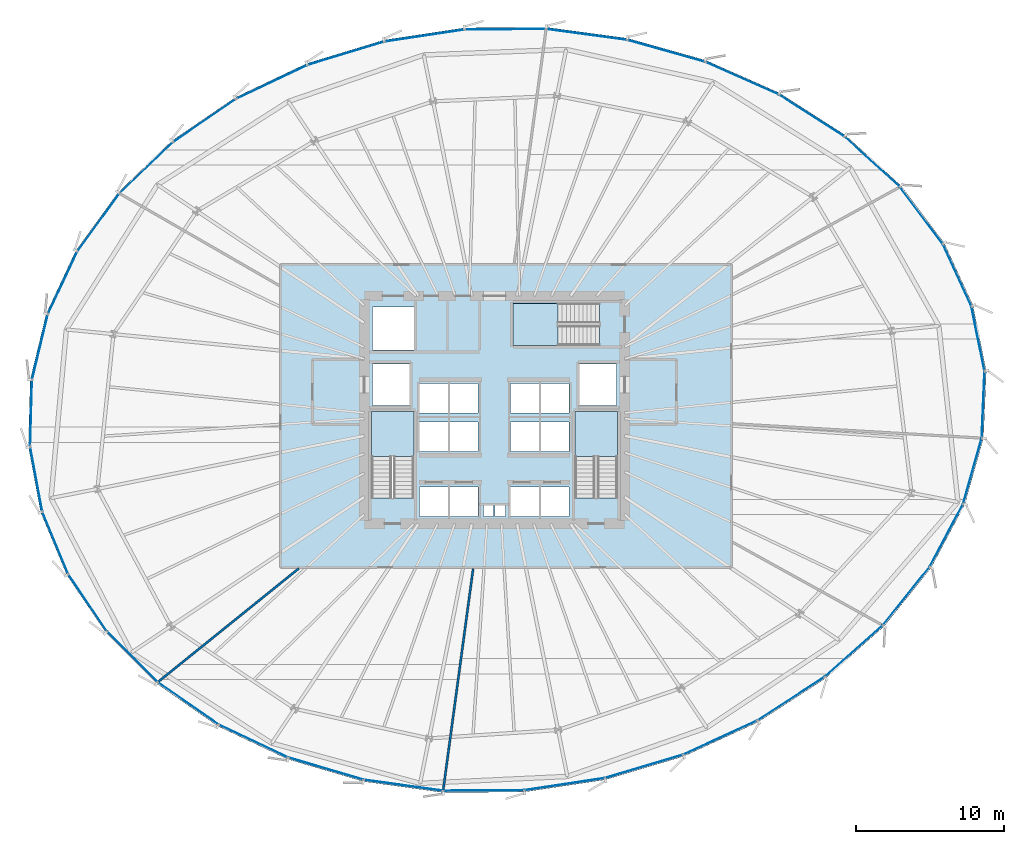
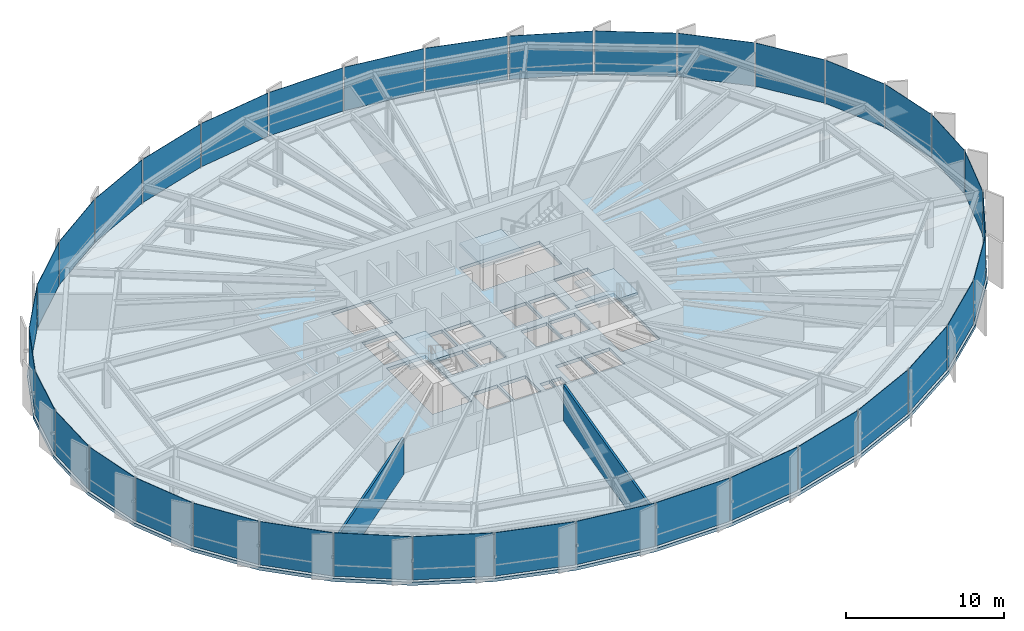
# One storey, part 29 of 37: 36 plates, 4 slabs, 2 walls, 9 elements without a shape of their own.
"""IFC4 building model written with IfcOpenShell, lengths in metres."""

from ifc_helpers import new_model, si_unit, direction, frame, frame_2d, origin, origin_2d, place, context, subcontext, project, spatial, polyline, rectangle, outline, extrude, source, transform, mapped, material, layer, layer_set, type_object, element, aggregate, save


model = new_model("IFC4")

# Units and contexts
model_context = context("Model", 3, precision=1e-05, world=origin(), true_north=direction((0.0, 1.0)))
body_context = subcontext(model_context, "Body", "Model", "MODEL_VIEW")
ifc_project = project(units=[si_unit("LENGTHUNIT", "METRE"), si_unit("AREAUNIT", "SQUARE_METRE"), si_unit("VOLUMEUNIT", "CUBIC_METRE"), si_unit("PLANEANGLEUNIT", "RADIAN"), si_unit("MASSUNIT", "GRAM", prefix="KILO"), si_unit("THERMODYNAMICTEMPERATUREUNIT", "KELVIN")], contexts=[model_context])

# Site, building, storey
site_placement = place(None, origin())
site = spatial("IfcSite", under=ifc_project, at=site_placement, CompositionType="ELEMENT")
building_placement = place(site_placement, origin())
building = spatial("IfcBuilding", under=site, at=building_placement, Name="Kethvar Cultural Tower", CompositionType="ELEMENT")
storey_placement = place(building_placement, frame((0.0, 0.0, 48.60009765625)))
storey = spatial("IfcBuildingStorey", under=building, at=storey_placement, Name="L11", CompositionType="ELEMENT", Elevation=48.60009765625)

# Stair, slab
ifc_material_1 = material(Name="Concrete C40/50", Category="concrete")
stair_type = type_object("IfcStairType", Name="ST-DOGLEG-135", PredefinedType="HALF_TURN_STAIR", material=ifc_material_1)
stair_1_placement = place(storey_placement, origin())
stair_1 = element("IfcStair", 1, at=stair_1_placement, inside=storey, type_object=stair_type, Name="L11 Core Exit Stair 1", PredefinedType="HALF_TURN_STAIR")
ifc_layer_1 = layer(ifc_material_1, 0.199951171875, Name="Concrete C40/50", Category="concrete")
ifc_layer_set_1 = layer_set([ifc_layer_1], Name="Concrete C40/50 (200 mm)")
slab_type_1 = type_object("IfcSlabType", Name="SL-STAIR-LANDING-200", PredefinedType="LANDING", material=ifc_layer_set_1)
slab_1_placement = place(storey_placement, frame((0.0, 0.0, 1.699951171875)))
slab_1 = element("IfcSlab", 2, at=slab_1_placement, type_object=slab_type_1, Name="ST-01 landing 1", PredefinedType="LANDING", context=body_context, shape_type="SweptSolid", body=[
    extrude(outline(polyline([(41.35009765625, 24.64990234375), (41.35009765625, 27.699951171875), (38.489990234375, 27.699951171875), (38.489990234375, 24.64990234375), (41.35009765625, 24.64990234375)])), origin(), (0.0, 0.0, 1.0), 0.199951171875),
])
aggregate(stair_1, [slab_1])

stair_2_placement = place(storey_placement, origin())
stair_2 = element("IfcStair", 3, at=stair_2_placement, inside=storey, type_object=stair_type, Name="L11 Core Exit Stair 2", PredefinedType="HALF_TURN_STAIR")
slab_2_placement = place(storey_placement, frame((0.0, 0.0, 1.699951171875)))
slab_2 = element("IfcSlab", 4, at=slab_2_placement, type_object=slab_type_1, Name="ST-02 landing 1", PredefinedType="LANDING", context=body_context, shape_type="SweptSolid", body=[
    extrude(outline(polyline([(55.110107421875, 24.64990234375), (55.110107421875, 27.699951171875), (52.25, 27.699951171875), (52.25, 24.64990234375), (55.110107421875, 24.64990234375)])), origin(), (0.0, 0.0, 1.0), 0.199951171875),
])
aggregate(stair_2, [slab_2])

stair_3_placement = place(storey_placement, origin())
stair_3 = element("IfcStair", 5, at=stair_3_placement, inside=storey, type_object=stair_type, Name="L11 Core Exit Stair 3", PredefinedType="HALF_TURN_STAIR")
slab_3_placement = place(storey_placement, frame((0.0, 0.0, 1.699951171875)))
slab_3 = element("IfcSlab", 6, at=slab_3_placement, type_object=slab_type_1, Name="ST-03 landing 1", PredefinedType="LANDING", context=body_context, shape_type="SweptSolid", body=[
    extrude(outline(polyline([(51.10009765625, 35.010009765625), (48.050048828125, 35.010009765625), (48.050048828125, 32.14990234375), (51.10009765625, 32.14990234375), (51.10009765625, 35.010009765625)])), origin(), (0.0, 0.0, 1.0), 0.199951171875),
])
aggregate(stair_3, [slab_3])

# Slab
ifc_layer_2 = layer(ifc_material_1, 0.25, Name="Concrete C40/50", Category="concrete")
ifc_layer_set_2 = layer_set([ifc_layer_2], Name="Concrete C40/50 (250 mm)")
slab_type_2 = type_object("IfcSlabType", Name="SL-TOW-250", PredefinedType="FLOOR", material=ifc_layer_set_2)
slab_4_placement = place(storey_placement, frame((0.0, 0.0, -0.25)))
element("IfcSlab", 7, at=slab_4_placement, inside=storey, type_object=slab_type_2, Name="L11 Structural Floor Slab", PredefinedType="FLOOR", context=body_context, shape_type="SweptSolid", body=[
    extrude(outline(polyline([(80.048583984375, 30.416748046875), (79.151611328125, 34.858642578125), (77.202392578125, 39.08056640625), (74.28466796875, 42.956298828125), (70.523193359375, 46.37060546875), (66.0712890625, 49.223388671875), (61.10009765625, 51.43017578125), (55.784423828125, 52.92626953125), (50.291015625, 53.666259765625), (44.767333984375, 53.626220703125), (39.32763671875, 52.803466796875), (34.114990234375, 51.220703125), (29.28759765625, 48.926513671875), (24.992431640625, 45.990234375), (21.35986328125, 42.50146484375), (18.500244140625, 38.56591796875), (16.50048828125, 34.30322265625), (15.42138671875, 29.843017578125), (15.2958984375, 25.320556640625), (16.12744140625, 20.87353515625), (17.89111328125, 16.636962890625), (20.532958984375, 12.739501953125), (23.972900390625, 9.2998046875), (28.106689453125, 6.422119140625), (32.80810546875, 4.194091796875), (37.934814453125, 2.68310546875), (43.3310546875, 1.935546875), (48.83251953125, 1.9736328125), (54.294189453125, 2.79833984375), (59.6044921875, 4.388671875), (64.62060546875, 6.69775390625), (69.185302734375, 9.655029296875), (73.135986328125, 13.169189453125), (76.3173828125, 17.1298828125), (78.5927734375, 21.414306640625), (79.857666015625, 25.88916015625), (80.048583984375, 30.416748046875)]), holes=[polyline([(38.489990234375, 21.85009765625), (38.489990234375, 27.699951171875), (41.35009765625, 27.699951171875), (41.35009765625, 21.85009765625), (38.489990234375, 21.85009765625)]), polyline([(52.25, 21.85009765625), (52.25, 27.699951171875), (55.110107421875, 27.699951171875), (55.110107421875, 21.85009765625), (52.25, 21.85009765625)]), polyline([(53.89990234375, 32.14990234375), (48.050048828125, 32.14990234375), (48.050048828125, 35.010009765625), (53.89990234375, 35.010009765625), (53.89990234375, 32.14990234375)]), polyline([(41.75, 22.60009765625), (43.64990234375, 22.60009765625), (43.64990234375, 20.60009765625), (41.75, 20.60009765625), (41.75, 22.60009765625)]), polyline([(43.800048828125, 22.60009765625), (45.699951171875, 22.60009765625), (45.699951171875, 20.60009765625), (43.800048828125, 20.60009765625), (43.800048828125, 22.60009765625)]), polyline([(47.89990234375, 22.60009765625), (49.800048828125, 22.60009765625), (49.800048828125, 20.60009765625), (47.89990234375, 20.60009765625), (47.89990234375, 22.60009765625)]), polyline([(49.949951171875, 22.60009765625), (51.85009765625, 22.60009765625), (51.85009765625, 20.60009765625), (49.949951171875, 20.60009765625), (49.949951171875, 22.60009765625)]), polyline([(41.75, 27.0), (43.64990234375, 27.0), (43.64990234375, 25.0), (41.75, 25.0), (41.75, 27.0)]), polyline([(43.800048828125, 27.0), (45.699951171875, 27.0), (45.699951171875, 25.0), (43.800048828125, 25.0), (43.800048828125, 27.0)]), polyline([(47.89990234375, 27.0), (49.800048828125, 27.0), (49.800048828125, 25.0), (47.89990234375, 25.0), (47.89990234375, 27.0)]), polyline([(49.949951171875, 27.0), (51.85009765625, 27.0), (51.85009765625, 25.0), (49.949951171875, 25.0), (49.949951171875, 27.0)]), polyline([(41.75, 29.60009765625), (43.64990234375, 29.60009765625), (43.64990234375, 27.60009765625), (41.75, 27.60009765625), (41.75, 29.60009765625)]), polyline([(43.800048828125, 29.60009765625), (45.699951171875, 29.60009765625), (45.699951171875, 27.60009765625), (43.800048828125, 27.60009765625), (43.800048828125, 29.60009765625)]), polyline([(47.89990234375, 29.60009765625), (49.800048828125, 29.60009765625), (49.800048828125, 27.60009765625), (47.89990234375, 27.60009765625), (47.89990234375, 29.60009765625)]), polyline([(49.949951171875, 29.60009765625), (51.85009765625, 29.60009765625), (51.85009765625, 27.60009765625), (49.949951171875, 27.60009765625), (49.949951171875, 29.60009765625)]), polyline([(38.550048828125, 30.89990234375), (41.050048828125, 30.89990234375), (41.050048828125, 28.10009765625), (38.550048828125, 28.10009765625), (38.550048828125, 30.89990234375)]), polyline([(52.550048828125, 30.89990234375), (55.050048828125, 30.89990234375), (55.050048828125, 28.10009765625), (52.550048828125, 28.10009765625), (52.550048828125, 30.89990234375)]), polyline([(38.550048828125, 34.75), (41.35009765625, 34.75), (41.35009765625, 31.85009765625), (38.550048828125, 31.85009765625), (38.550048828125, 34.75)]), polyline([(46.050048828125, 21.35009765625), (46.75, 21.35009765625), (46.75, 20.60009765625), (46.050048828125, 20.60009765625), (46.050048828125, 21.35009765625)]), polyline([(46.85009765625, 21.35009765625), (47.550048828125, 21.35009765625), (47.550048828125, 20.60009765625), (46.85009765625, 20.60009765625), (46.85009765625, 21.35009765625)])]), origin(), (0.0, 0.0, 1.0), 0.25),
])

# Curtain wall, plate
ifc_material_2 = material(Name="Aluminium 6063-T6", Category="aluminium")
ifc_layer_3 = layer(ifc_material_2, 0.179931640625, Name="Aluminium 6063-T6", Category="aluminium")
ifc_layer_set_3 = layer_set([ifc_layer_3], Name="Aluminium 6063-T6 (180 mm)")
curtain_wall_type = type_object("IfcCurtainWallType", Name="CW-SYS-02-Z1", PredefinedType="NOTDEFINED", material=ifc_layer_set_3)
curtain_wall_1_placement = place(storey_placement, origin())
curtain_wall_1 = element("IfcCurtainWall", 8, at=curtain_wall_1_placement, inside=storey, type_object=curtain_wall_type, Name="L11 Curtain Wall Run 01", PredefinedType="NOTDEFINED")
ifc_material_3 = material(Name="Insulated Low-E Solar Glass", Category="glass")
ifc_layer_4 = layer(ifc_material_3, 0.031982421875, Name="Insulated Low-E Solar Glass", Category="glass")
ifc_layer_set_4 = layer_set([ifc_layer_4], Name="Insulated Low-E Solar Glass (32 mm)")
plate_type = type_object("IfcPlateType", Name="CW-SYS-02-Z1-PNL", PredefinedType="CURTAIN_PANEL", material=ifc_layer_set_4)
shared_shape_1 = source(origin(), body_context, "Body", "SweptSolid", [
    extrude(rectangle(XDim=4.43798828125, YDim=0.031982421875, at=origin_2d()), origin(), (0.0, 0.0, 1.0), 3.35009765625),
])
plate_1_placement = place(storey_placement, frame((79.482421875, 32.614013671875, 0.099853515625), z_axis=(0.0, 0.0, 1.0), x_axis=(-0.197965291892, 0.980209030363, 0.0)))
plate_1 = element("IfcPlate", 9, at=plate_1_placement, type_object=plate_type, Name="CW-L11-R01 Vision Glazing Panel 1", PredefinedType="CURTAIN_PANEL", context=body_context, shape_type="MappedRepresentation", body=[
    mapped(shared_shape_1, transform((0.0, 0.0, 0.0), scale=1.0)),
])

curtain_wall_2_placement = place(storey_placement, origin())
curtain_wall_2 = element("IfcCurtainWall", 10, at=curtain_wall_2_placement, inside=storey, type_object=curtain_wall_type, Name="L11 Curtain Wall Run 06", PredefinedType="NOTDEFINED")
plate_2_placement = place(storey_placement, frame((79.833251953125, 28.157958984375, 0.099853515625), z_axis=(0.0, 0.0, 1.0), x_axis=(0.042172097593, 0.999110361364, 0.0)))
plate_2 = element("IfcPlate", 11, at=plate_2_placement, type_object=plate_type, Name="CW-L11-R06 Vision Glazing Panel 6", PredefinedType="CURTAIN_PANEL", context=body_context, shape_type="MappedRepresentation", body=[
    mapped(shared_shape_1, transform((0.0, 0.0, 0.0), scale=1.0)),
])

# Plate
shared_shape_2 = source(origin(), body_context, "Body", "SweptSolid", [
    extrude(rectangle(XDim=4.556396484375, YDim=0.031982421875, at=origin_2d()), origin(), (0.0, 0.0, 1.0), 3.35009765625),
])
plate_3_placement = place(storey_placement, frame((78.068115234375, 36.919189453125, 0.099853515625), z_axis=(0.0, 0.0, 1.0), x_axis=(-0.419166875046, 0.907909208492, 0.0)))
plate_3 = element("IfcPlate", 12, at=plate_3_placement, type_object=plate_type, Name="CW-L11-R01 Vision Glazing Panel 2", PredefinedType="CURTAIN_PANEL", context=body_context, shape_type="MappedRepresentation", body=[
    mapped(shared_shape_2, transform((0.0, 0.0, 0.0), scale=1.0)),
])

shared_shape_3 = source(origin(), body_context, "Body", "SweptSolid", [
    extrude(rectangle(XDim=4.757568359375, YDim=0.031982421875, at=origin_2d()), origin(), (0.0, 0.0, 1.0), 3.35009765625),
])
plate_4_placement = place(storey_placement, frame((75.647705078125, 40.9462890625, 0.099853515625), z_axis=(0.0, 0.0, 1.0), x_axis=(-0.601438608227, 0.79891902001, 0.0)))
plate_4 = element("IfcPlate", 13, at=plate_4_placement, type_object=plate_type, Name="CW-L11-R01 Vision Glazing Panel 3", PredefinedType="CURTAIN_PANEL", context=body_context, shape_type="MappedRepresentation", body=[
    mapped(shared_shape_3, transform((0.0, 0.0, 0.0), scale=1.0)),
])

plate_5_placement = place(storey_placement, frame((77.34912109375, 19.328369140625, 0.099853515625), z_axis=(0.0, 0.0, 1.0), x_axis=(0.46904001715, 0.883176914503, 0.0)))
plate_5 = element("IfcPlate", 14, at=plate_5_placement, type_object=plate_type, Name="CW-L11-R06 Vision Glazing Panel 4", PredefinedType="CURTAIN_PANEL", context=body_context, shape_type="MappedRepresentation", body=[
    mapped(shared_shape_3, transform((0.0, 0.0, 0.0), scale=1.0)),
])

shared_shape_4 = source(origin(), body_context, "Body", "SweptSolid", [
    extrude(rectangle(XDim=4.986572265625, YDim=0.031982421875, at=origin_2d()), origin(), (0.0, 0.0, 1.0), 3.35009765625),
])
plate_6_placement = place(storey_placement, frame((72.3232421875, 44.57470703125, 0.099853515625), z_axis=(0.0, 0.0, 1.0), x_axis=(-0.74044105206, 0.672121304843, 0.0)))
plate_6 = element("IfcPlate", 15, at=plate_6_placement, type_object=plate_type, Name="CW-L11-R01 Vision Glazing Panel 4", PredefinedType="CURTAIN_PANEL", context=body_context, shape_type="MappedRepresentation", body=[
    mapped(shared_shape_4, transform((0.0, 0.0, 0.0), scale=1.0)),
])

plate_7_placement = place(storey_placement, frame((74.633056640625, 15.224609375, 0.099853515625), z_axis=(0.0, 0.0, 1.0), x_axis=(0.626195665085, 0.779665947075, 0.0)))
plate_7 = element("IfcPlate", 16, at=plate_7_placement, type_object=plate_type, Name="CW-L11-R06 Vision Glazing Panel 3", PredefinedType="CURTAIN_PANEL", context=body_context, shape_type="MappedRepresentation", body=[
    mapped(shared_shape_4, transform((0.0, 0.0, 0.0), scale=1.0)),
])

shared_shape_5 = source(origin(), body_context, "Body", "SweptSolid", [
    extrude(rectangle(XDim=5.193603515625, YDim=0.031982421875, at=origin_2d()), origin(), (0.0, 0.0, 1.0), 3.35009765625),
])
plate_8_placement = place(storey_placement, frame((68.232421875, 47.69580078125, 0.099853515625), z_axis=(0.0, 0.0, 1.0), x_axis=(-0.841972493799, 0.539520453445, 0.0)))
plate_8 = element("IfcPlate", 17, at=plate_8_placement, type_object=plate_type, Name="CW-L11-R01 Vision Glazing Panel 5", PredefinedType="CURTAIN_PANEL", context=body_context, shape_type="MappedRepresentation", body=[
    mapped(shared_shape_5, transform((0.0, 0.0, 0.0), scale=1.0)),
])

shared_shape_6 = source(origin(), body_context, "Body", "SweptSolid", [
    extrude(rectangle(XDim=5.34521484375, YDim=0.031982421875, at=origin_2d()), origin(), (0.0, 0.0, 1.0), 3.35009765625),
])
plate_9_placement = place(storey_placement, frame((63.537109375, 50.217041015625, 0.099853515625), z_axis=(0.0, 0.0, 1.0), x_axis=(-0.913977972328, 0.405763805803, 0.0)))
plate_9 = element("IfcPlate", 18, at=plate_9_placement, type_object=plate_type, Name="CW-L11-R01 Vision Glazing Panel 6", PredefinedType="CURTAIN_PANEL", context=body_context, shape_type="MappedRepresentation", body=[
    mapped(shared_shape_6, transform((0.0, 0.0, 0.0), scale=1.0)),
])

aggregate(curtain_wall_1, [plate_1, plate_3, plate_4, plate_6, plate_8, plate_9])

# Curtain wall, plate
curtain_wall_3_placement = place(storey_placement, origin())
curtain_wall_3 = element("IfcCurtainWall", 19, at=curtain_wall_3_placement, inside=storey, type_object=curtain_wall_type, Name="L11 Curtain Wall Run 02", PredefinedType="NOTDEFINED")
shared_shape_7 = source(origin(), body_context, "Body", "SweptSolid", [
    extrude(rectangle(XDim=5.4287109375, YDim=0.031982421875, at=origin_2d()), origin(), (0.0, 0.0, 1.0), 3.35009765625),
])
plate_10_placement = place(storey_placement, frame((58.409912109375, 52.062744140625, 0.099853515625), z_axis=(0.0, 0.0, 1.0), x_axis=(-0.962606687284, 0.270902871149, 0.0)))
plate_10 = element("IfcPlate", 20, at=plate_10_placement, type_object=plate_type, Name="CW-L11-R02 Vision Glazing Panel 1", PredefinedType="CURTAIN_PANEL", context=body_context, shape_type="MappedRepresentation", body=[
    mapped(shared_shape_7, transform((0.0, 0.0, 0.0), scale=1.0)),
])

curtain_wall_4_placement = place(storey_placement, origin())
curtain_wall_4 = element("IfcCurtainWall", 21, at=curtain_wall_4_placement, inside=storey, type_object=curtain_wall_type, Name="L11 Curtain Wall Run 05", PredefinedType="NOTDEFINED")
plate_11_placement = place(storey_placement, frame((62.0625, 5.652099609375, 0.099853515625), z_axis=(0.0, 0.0, 1.0), x_axis=(0.908376855883, 0.418152469437, 0.0)))
plate_11 = element("IfcPlate", 22, at=plate_11_placement, type_object=plate_type, Name="CW-L11-R05 Vision Glazing Panel 6", PredefinedType="CURTAIN_PANEL", context=body_context, shape_type="MappedRepresentation", body=[
    mapped(shared_shape_7, transform((0.0, 0.0, 0.0), scale=1.0)),
])

# Plate
shared_shape_8 = source(origin(), body_context, "Body", "SweptSolid", [
    extrude(rectangle(XDim=5.449462890625, YDim=0.031982421875, at=origin_2d()), origin(), (0.0, 0.0, 1.0), 3.35009765625),
])
plate_12_placement = place(storey_placement, frame((53.021728515625, 53.17724609375, 0.099853515625), z_axis=(0.0, 0.0, 1.0), x_axis=(-0.991048559381, 0.133501883688, 0.0)))
plate_12 = element("IfcPlate", 23, at=plate_12_placement, type_object=plate_type, Name="CW-L11-R02 Vision Glazing Panel 2", PredefinedType="CURTAIN_PANEL", context=body_context, shape_type="MappedRepresentation", body=[
    mapped(shared_shape_8, transform((0.0, 0.0, 0.0), scale=1.0)),
])

plate_13_placement = place(storey_placement, frame((56.914794921875, 3.70849609375, 0.099853515625), z_axis=(0.0, 0.0, 1.0), x_axis=(0.957967818379, 0.286875685533, 0.0)))
plate_13 = element("IfcPlate", 24, at=plate_13_placement, type_object=plate_type, Name="CW-L11-R05 Vision Glazing Panel 5", PredefinedType="CURTAIN_PANEL", context=body_context, shape_type="MappedRepresentation", body=[
    mapped(shared_shape_8, transform((0.0, 0.0, 0.0), scale=1.0)),
])

shared_shape_9 = source(origin(), body_context, "Body", "SweptSolid", [
    extrude(rectangle(XDim=5.429931640625, YDim=0.031982421875, at=origin_2d()), origin(), (0.0, 0.0, 1.0), 3.35009765625),
])
plate_14_placement = place(storey_placement, frame((47.530029296875, 53.5263671875, 0.099853515625), z_axis=(0.0, 0.0, 1.0), x_axis=(-0.99997389501, -0.007225600228, 0.0)))
plate_14 = element("IfcPlate", 25, at=plate_14_placement, type_object=plate_type, Name="CW-L11-R02 Vision Glazing Panel 3", PredefinedType="CURTAIN_PANEL", context=body_context, shape_type="MappedRepresentation", body=[
    mapped(shared_shape_9, transform((0.0, 0.0, 0.0), scale=1.0)),
])

plate_15_placement = place(storey_placement, frame((51.54541015625, 2.504638671875, 0.099853515625), z_axis=(0.0, 0.0, 1.0), x_axis=(0.988790284089, 0.14931099789, 0.0)))
plate_15 = element("IfcPlate", 26, at=plate_15_placement, type_object=plate_type, Name="CW-L11-R05 Vision Glazing Panel 4", PredefinedType="CURTAIN_PANEL", context=body_context, shape_type="MappedRepresentation", body=[
    mapped(shared_shape_9, transform((0.0, 0.0, 0.0), scale=1.0)),
])

shared_shape_10 = source(origin(), body_context, "Body", "SweptSolid", [
    extrude(rectangle(XDim=5.407958984375, YDim=0.031982421875, at=origin_2d()), origin(), (0.0, 0.0, 1.0), 3.35009765625),
])
plate_16_placement = place(storey_placement, frame((42.0654296875, 53.09619140625, 0.099853515625), z_axis=(0.0, 0.0, 1.0), x_axis=(-0.988751160676, -0.149569857461, 0.0)))
plate_16 = element("IfcPlate", 27, at=plate_16_placement, type_object=plate_type, Name="CW-L11-R02 Vision Glazing Panel 4", PredefinedType="CURTAIN_PANEL", context=body_context, shape_type="MappedRepresentation", body=[
    mapped(shared_shape_10, transform((0.0, 0.0, 0.0), scale=1.0)),
])

plate_17_placement = place(storey_placement, frame((46.0810546875, 2.07470703125, 0.099853515625), z_axis=(0.0, 0.0, 1.0), x_axis=(0.999975873788, 0.006946354559, 0.0)))
plate_17 = element("IfcPlate", 28, at=plate_17_placement, type_object=plate_type, Name="CW-L11-R05 Vision Glazing Panel 3", PredefinedType="CURTAIN_PANEL", context=body_context, shape_type="MappedRepresentation", body=[
    mapped(shared_shape_10, transform((0.0, 0.0, 0.0), scale=1.0)),
])

shared_shape_11 = source(origin(), body_context, "Body", "SweptSolid", [
    extrude(rectangle(XDim=5.35400390625, YDim=0.031982421875, at=origin_2d()), origin(), (0.0, 0.0, 1.0), 3.35009765625),
])
plate_18_placement = place(storey_placement, frame((36.756103515625, 51.897216796875, 0.099853515625), z_axis=(0.0, 0.0, 1.0), x_axis=(-0.956869377238, -0.290518493221, 0.0)))
plate_18 = element("IfcPlate", 29, at=plate_18_placement, type_object=plate_type, Name="CW-L11-R02 Vision Glazing Panel 5", PredefinedType="CURTAIN_PANEL", context=body_context, shape_type="MappedRepresentation", body=[
    mapped(shared_shape_11, transform((0.0, 0.0, 0.0), scale=1.0)),
])

shared_shape_12 = source(origin(), body_context, "Body", "SweptSolid", [
    extrude(rectangle(XDim=5.251220703125, YDim=0.031982421875, at=origin_2d()), origin(), (0.0, 0.0, 1.0), 3.35009765625),
])
plate_19_placement = place(storey_placement, frame((31.7529296875, 49.965087890625, 0.099853515625), z_axis=(0.0, 0.0, 1.0), x_axis=(-0.903178019254, -0.429266194262, 0.0)))
plate_19 = element("IfcPlate", 30, at=plate_19_placement, type_object=plate_type, Name="CW-L11-R02 Vision Glazing Panel 6", PredefinedType="CURTAIN_PANEL", context=body_context, shape_type="MappedRepresentation", body=[
    mapped(shared_shape_12, transform((0.0, 0.0, 0.0), scale=1.0)),
])

aggregate(curtain_wall_3, [plate_10, plate_12, plate_14, plate_16, plate_18, plate_19])

plate_20_placement = place(storey_placement, frame((35.405517578125, 3.5537109375, 0.099853515625), z_axis=(0.0, 0.0, 1.0), x_axis=(0.959210426558, -0.282693044806, 0.0)))
plate_20 = element("IfcPlate", 31, at=plate_20_placement, type_object=plate_type, Name="CW-L11-R05 Vision Glazing Panel 1", PredefinedType="CURTAIN_PANEL", context=body_context, shape_type="MappedRepresentation", body=[
    mapped(shared_shape_12, transform((0.0, 0.0, 0.0), scale=1.0)),
])

# Curtain wall, plates
curtain_wall_5_placement = place(storey_placement, origin())
curtain_wall_5 = element("IfcCurtainWall", 32, at=curtain_wall_5_placement, inside=storey, type_object=curtain_wall_type, Name="L11 Curtain Wall Run 03", PredefinedType="NOTDEFINED")
shared_shape_13 = source(origin(), body_context, "Body", "SweptSolid", [
    extrude(rectangle(XDim=5.109375, YDim=0.031982421875, at=origin_2d()), origin(), (0.0, 0.0, 1.0), 3.35009765625),
])
plate_21_placement = place(storey_placement, frame((27.2080078125, 47.359375, 0.099853515625), z_axis=(0.0, 0.0, 1.0), x_axis=(-0.825537268849, -0.564347603646, 0.0)))
plate_21 = element("IfcPlate", 33, at=plate_21_placement, type_object=plate_type, Name="CW-L11-R03 Vision Glazing Panel 1", PredefinedType="CURTAIN_PANEL", context=body_context, shape_type="MappedRepresentation", body=[
    mapped(shared_shape_13, transform((0.0, 0.0, 0.0), scale=1.0)),
])
shared_shape_14 = source(origin(), body_context, "Body", "SweptSolid", [
    extrude(rectangle(XDim=4.943115234375, YDim=0.031982421875, at=origin_2d()), origin(), (0.0, 0.0, 1.0), 3.35009765625),
])
plate_22_placement = place(storey_placement, frame((23.25927734375, 44.159423828125, 0.099853515625), z_axis=(0.0, 0.0, 1.0), x_axis=(-0.721240577263, -0.692684653872, 0.0)))
plate_22 = element("IfcPlate", 34, at=plate_22_placement, type_object=plate_type, Name="CW-L11-R03 Vision Glazing Panel 2", PredefinedType="CURTAIN_PANEL", context=body_context, shape_type="MappedRepresentation", body=[
    mapped(shared_shape_14, transform((0.0, 0.0, 0.0), scale=1.0)),
])

# Curtain wall, plate
curtain_wall_6_placement = place(storey_placement, origin())
curtain_wall_6 = element("IfcCurtainWall", 35, at=curtain_wall_6_placement, inside=storey, type_object=curtain_wall_type, Name="L11 Curtain Wall Run 04", PredefinedType="NOTDEFINED")
plate_23_placement = place(storey_placement, frame((26.1083984375, 7.95947265625, 0.099853515625), z_axis=(0.0, 0.0, 1.0), x_axis=(0.820710690488, -0.57134399666, 0.0)))
plate_23 = element("IfcPlate", 36, at=plate_23_placement, type_object=plate_type, Name="CW-L11-R04 Vision Glazing Panel 5", PredefinedType="CURTAIN_PANEL", context=body_context, shape_type="MappedRepresentation", body=[
    mapped(shared_shape_14, transform((0.0, 0.0, 0.0), scale=1.0)),
])

# Plate
shared_shape_15 = source(origin(), body_context, "Body", "SweptSolid", [
    extrude(rectangle(XDim=4.771240234375, YDim=0.031982421875, at=origin_2d()), origin(), (0.0, 0.0, 1.0), 3.35009765625),
])
plate_24_placement = place(storey_placement, frame((20.027099609375, 40.463134765625, 0.099853515625), z_axis=(0.0, 0.0, 1.0), x_axis=(-0.587813491955, -0.808996476306, 0.0)))
plate_24 = element("IfcPlate", 37, at=plate_24_placement, type_object=plate_type, Name="CW-L11-R03 Vision Glazing Panel 3", PredefinedType="CURTAIN_PANEL", context=body_context, shape_type="MappedRepresentation", body=[
    mapped(shared_shape_15, transform((0.0, 0.0, 0.0), scale=1.0)),
])

plate_25_placement = place(storey_placement, frame((22.337890625, 11.1044921875, 0.099853515625), z_axis=(0.0, 0.0, 1.0), x_axis=(0.707131463439, -0.707082098073, 0.0)))
plate_25 = element("IfcPlate", 38, at=plate_25_placement, type_object=plate_type, Name="CW-L11-R04 Vision Glazing Panel 4", PredefinedType="CURTAIN_PANEL", context=body_context, shape_type="MappedRepresentation", body=[
    mapped(shared_shape_15, transform((0.0, 0.0, 0.0), scale=1.0)),
])

shared_shape_16 = source(origin(), body_context, "Body", "SweptSolid", [
    extrude(rectangle(XDim=4.614990234375, YDim=0.031982421875, at=origin_2d()), origin(), (0.0, 0.0, 1.0), 3.35009765625),
])
plate_26_placement = place(storey_placement, frame((17.609130859375, 36.383544921875, 0.099853515625), z_axis=(0.0, 0.0, 1.0), x_axis=(-0.424705121588, -0.905331740136, 0.0)))
plate_26 = element("IfcPlate", 39, at=plate_26_placement, type_object=plate_type, Name="CW-L11-R03 Vision Glazing Panel 4", PredefinedType="CURTAIN_PANEL", context=body_context, shape_type="MappedRepresentation", body=[
    mapped(shared_shape_16, transform((0.0, 0.0, 0.0), scale=1.0)),
])

shared_shape_17 = source(origin(), body_context, "Body", "SweptSolid", [
    extrude(rectangle(XDim=4.495361328125, YDim=0.031982421875, at=origin_2d()), origin(), (0.0, 0.0, 1.0), 3.35009765625),
])
plate_27_placement = place(storey_placement, frame((16.07763671875, 32.044921875, 0.099853515625), z_axis=(0.0, 0.0, 1.0), x_axis=(-0.235142113103, -0.971961000579, 0.0)))
plate_27 = element("IfcPlate", 40, at=plate_27_placement, type_object=plate_type, Name="CW-L11-R03 Vision Glazing Panel 5", PredefinedType="CURTAIN_PANEL", context=body_context, shape_type="MappedRepresentation", body=[
    mapped(shared_shape_17, transform((0.0, 0.0, 0.0), scale=1.0)),
])

plate_28_placement = place(storey_placement, frame((17.1201171875, 18.801513671875, 0.099853515625), z_axis=(0.0, 0.0, 1.0), x_axis=(0.38429532266, -0.923210217113, 0.0)))
plate_28 = element("IfcPlate", 41, at=plate_28_placement, type_object=plate_type, Name="CW-L11-R04 Vision Glazing Panel 2", PredefinedType="CURTAIN_PANEL", context=body_context, shape_type="MappedRepresentation", body=[
    mapped(shared_shape_17, transform((0.0, 0.0, 0.0), scale=1.0)),
])

shared_shape_18 = source(origin(), body_context, "Body", "SweptSolid", [
    extrude(rectangle(XDim=4.430419921875, YDim=0.031982421875, at=origin_2d()), origin(), (0.0, 0.0, 1.0), 3.35009765625),
])
plate_29_placement = place(storey_placement, frame((15.478759765625, 27.57861328125, 0.099853515625), z_axis=(0.0, 0.0, 1.0), x_axis=(-0.02776461999, -0.999614488629, 0.0)))
plate_29 = element("IfcPlate", 42, at=plate_29_placement, type_object=plate_type, Name="CW-L11-R03 Vision Glazing Panel 6", PredefinedType="CURTAIN_PANEL", context=body_context, shape_type="MappedRepresentation", body=[
    mapped(shared_shape_18, transform((0.0, 0.0, 0.0), scale=1.0)),
])

aggregate(curtain_wall_5, [plate_21, plate_22, plate_24, plate_26, plate_27, plate_29])

plate_30_placement = place(storey_placement, frame((15.82958984375, 23.119140625, 0.099853515625), z_axis=(0.0, 0.0, 1.0), x_axis=(0.183814105155, -0.982961024022, 0.0)))
plate_30 = element("IfcPlate", 43, at=plate_30_placement, type_object=plate_type, Name="CW-L11-R04 Vision Glazing Panel 1", PredefinedType="CURTAIN_PANEL", context=body_context, shape_type="MappedRepresentation", body=[
    mapped(shared_shape_18, transform((0.0, 0.0, 0.0), scale=1.0)),
])

shared_shape_19 = source(origin(), body_context, "Body", "SweptSolid", [
    extrude(rectangle(XDim=4.61474609375, YDim=0.031982421875, at=origin_2d()), origin(), (0.0, 0.0, 1.0), 3.35009765625),
])
plate_31_placement = place(storey_placement, frame((19.311279296875, 14.755615234375, 0.099853515625), z_axis=(0.0, 0.0, 1.0), x_axis=(0.561101383235, -0.827747085607, 0.0)))
plate_31 = element("IfcPlate", 44, at=plate_31_placement, type_object=plate_type, Name="CW-L11-R04 Vision Glazing Panel 3", PredefinedType="CURTAIN_PANEL", context=body_context, shape_type="MappedRepresentation", body=[
    mapped(shared_shape_19, transform((0.0, 0.0, 0.0), scale=1.0)),
])

shared_shape_20 = source(origin(), body_context, "Body", "SweptSolid", [
    extrude(rectangle(XDim=5.109130859375, YDim=0.031982421875, at=origin_2d()), origin(), (0.0, 0.0, 1.0), 3.35009765625),
])
plate_32_placement = place(storey_placement, frame((30.5087890625, 5.41650390625, 0.099853515625), z_axis=(0.0, 0.0, 1.0), x_axis=(0.903664425, -0.428241295287, 0.0)))
plate_32 = element("IfcPlate", 45, at=plate_32_placement, type_object=plate_type, Name="CW-L11-R04 Vision Glazing Panel 6", PredefinedType="CURTAIN_PANEL", context=body_context, shape_type="MappedRepresentation", body=[
    mapped(shared_shape_20, transform((0.0, 0.0, 0.0), scale=1.0)),
])

aggregate(curtain_wall_6, [plate_30, plate_28, plate_31, plate_25, plate_23, plate_32])

shared_shape_21 = source(origin(), body_context, "Body", "SweptSolid", [
    extrude(rectangle(XDim=5.354248046875, YDim=0.031982421875, at=origin_2d()), origin(), (0.0, 0.0, 1.0), 3.35009765625),
])
plate_33_placement = place(storey_placement, frame((40.6494140625, 2.42822265625, 0.099853515625), z_axis=(0.0, 0.0, 1.0), x_axis=(0.990535832442, -0.13725437934, 0.0)))
plate_33 = element("IfcPlate", 46, at=plate_33_placement, type_object=plate_type, Name="CW-L11-R05 Vision Glazing Panel 2", PredefinedType="CURTAIN_PANEL", context=body_context, shape_type="MappedRepresentation", body=[
    mapped(shared_shape_21, transform((0.0, 0.0, 0.0), scale=1.0)),
])

aggregate(curtain_wall_4, [plate_20, plate_33, plate_17, plate_15, plate_13, plate_11])

shared_shape_22 = source(origin(), body_context, "Body", "SweptSolid", [
    extrude(rectangle(XDim=5.345458984375, YDim=0.031982421875, at=origin_2d()), origin(), (0.0, 0.0, 1.0), 3.35009765625),
])
plate_34_placement = place(storey_placement, frame((66.837890625, 8.277099609375, 0.099853515625), z_axis=(0.0, 0.0, 1.0), x_axis=(0.839259432963, 0.543731187429, 0.0)))
plate_34 = element("IfcPlate", 47, at=plate_34_placement, type_object=plate_type, Name="CW-L11-R06 Vision Glazing Panel 1", PredefinedType="CURTAIN_PANEL", context=body_context, shape_type="MappedRepresentation", body=[
    mapped(shared_shape_22, transform((0.0, 0.0, 0.0), scale=1.0)),
])

shared_shape_23 = source(origin(), body_context, "Body", "SweptSolid", [
    extrude(rectangle(XDim=5.19384765625, YDim=0.031982421875, at=origin_2d()), origin(), (0.0, 0.0, 1.0), 3.35009765625),
])
plate_35_placement = place(storey_placement, frame((71.0810546875, 11.501708984375, 0.099853515625), z_axis=(0.0, 0.0, 1.0), x_axis=(0.747195222289, 0.664604619144, 0.0)))
plate_35 = element("IfcPlate", 48, at=plate_35_placement, type_object=plate_type, Name="CW-L11-R06 Vision Glazing Panel 2", PredefinedType="CURTAIN_PANEL", context=body_context, shape_type="MappedRepresentation", body=[
    mapped(shared_shape_23, transform((0.0, 0.0, 0.0), scale=1.0)),
])

shared_shape_24 = source(origin(), body_context, "Body", "SweptSolid", [
    extrude(rectangle(XDim=4.556640625, YDim=0.031982421875, at=origin_2d()), origin(), (0.0, 0.0, 1.0), 3.35009765625),
])
plate_36_placement = place(storey_placement, frame((79.109619140625, 23.684326171875, 0.099853515625), z_axis=(0.0, 0.0, 1.0), x_axis=(0.272011534474, 0.962293990999, 0.0)))
plate_36 = element("IfcPlate", 49, at=plate_36_placement, type_object=plate_type, Name="CW-L11-R06 Vision Glazing Panel 5", PredefinedType="CURTAIN_PANEL", context=body_context, shape_type="MappedRepresentation", body=[
    mapped(shared_shape_24, transform((0.0, 0.0, 0.0), scale=1.0)),
])

aggregate(curtain_wall_2, [plate_34, plate_35, plate_7, plate_5, plate_36, plate_2])

# Walls
ifc_material_4 = material(Name="Gypsum Acoustic Partition")
ifc_layer_5 = layer(ifc_material_4, 0.14990234375, Name="Gypsum Acoustic Partition")
ifc_layer_set_5 = layer_set([ifc_layer_5], Name="Gypsum Acoustic Partition (150 mm)")
wall_type = type_object("IfcWallType", Name="WL-PART-150", PredefinedType="PARTITIONING", material=ifc_layer_set_5)
wall_1_placement = place(storey_placement, frame((33.584716796875, 17.08984375, 0.0), z_axis=(0.0, 0.0, 1.0), x_axis=(-0.778592960222, -0.627529284012, 0.0)))
element("IfcWall", 50, at=wall_1_placement, inside=storey, type_object=wall_type, Name="L11 Radial Partition Wall 01", PredefinedType="PARTITIONING", context=body_context, shape_type="SweptSolid", body=[
    extrude(rectangle(XDim=12.14697265625, YDim=0.14990234375, at=frame_2d((6.073486328125, 0.0))), origin(), (0.0, 0.0, 1.0), 2.784912109375),
])
wall_2_placement = place(storey_placement, frame((45.359619140625, 17.060791015625, 0.0), z_axis=(0.0, 0.0, 1.0), x_axis=(-0.134025236221, -0.990977919056, 0.0)))
element("IfcWall", 51, at=wall_2_placement, inside=storey, type_object=wall_type, Name="L11 Radial Partition Wall 02", PredefinedType="PARTITIONING", context=body_context, shape_type="SweptSolid", body=[
    extrude(rectangle(XDim=15.03173828125, YDim=0.14990234375, at=frame_2d((7.515869140625, 0.0))), origin(), (0.0, 0.0, 1.0), 2.784912109375),
])

save(model, "model.ifc")
